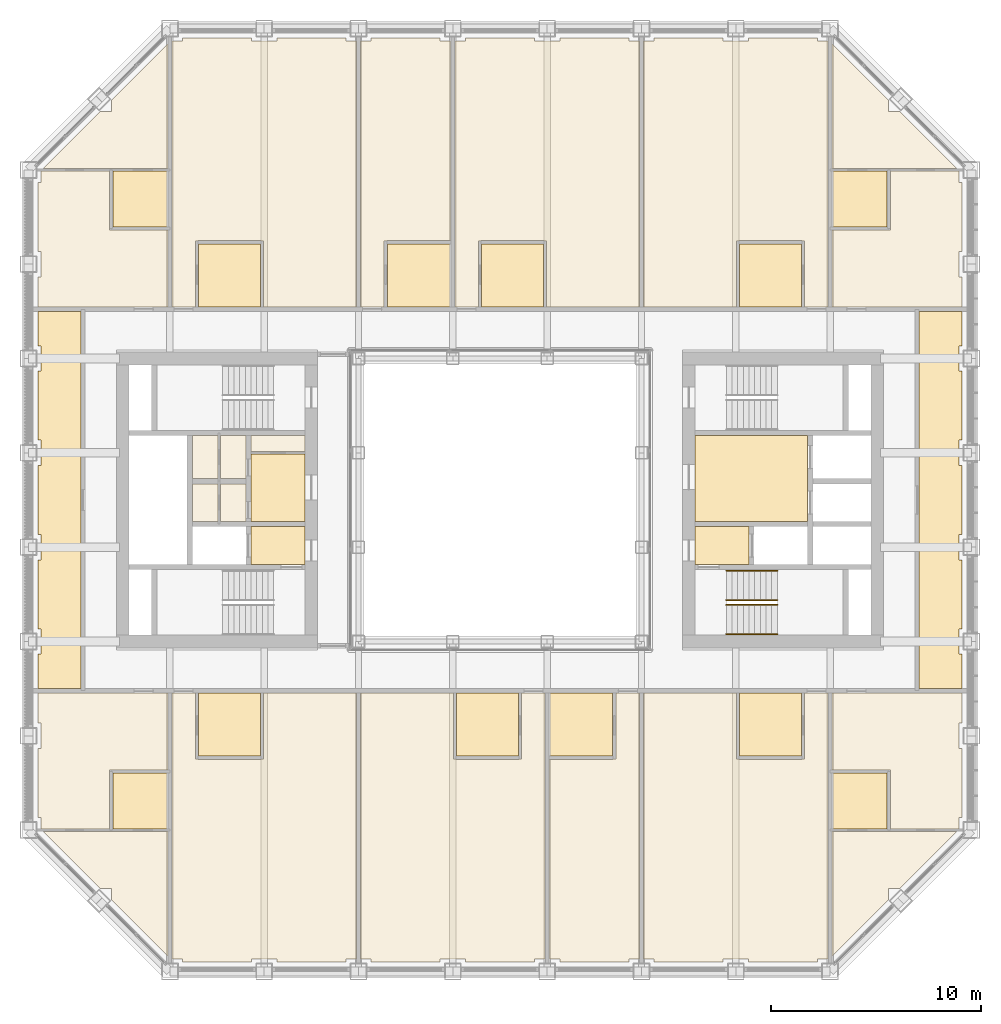
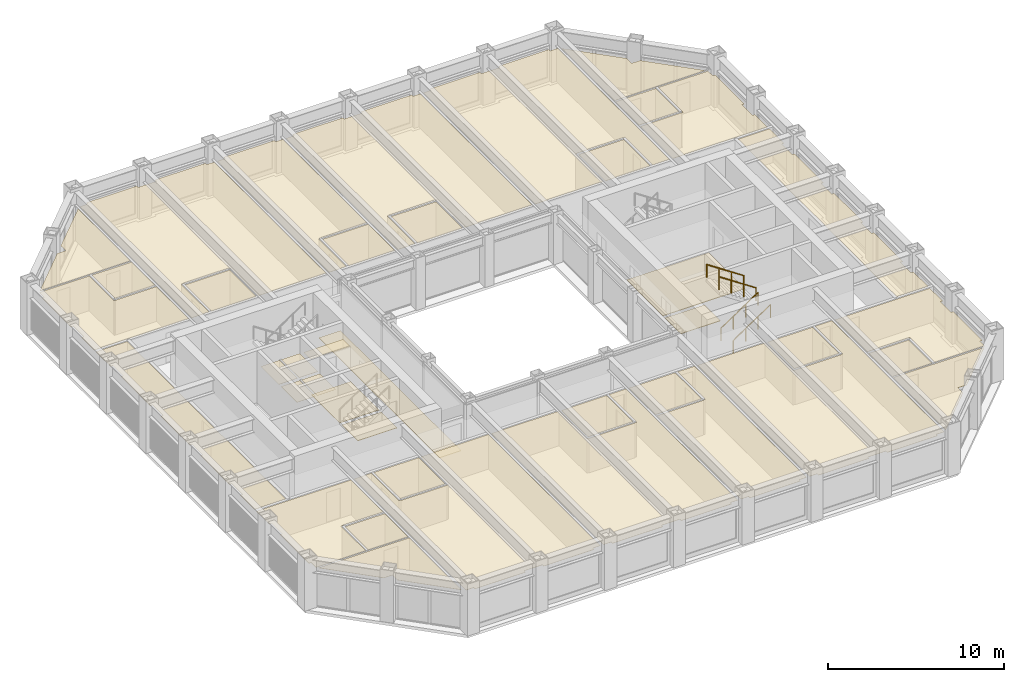
# One storey, part 16 of 17: 4 coverings, 4 railings.
"""IFC4 building model written with IfcOpenShell, lengths in metres."""

from ifc_helpers import new_model, si_unit, direction, frame, origin, origin_2d, place, context, subcontext, project, spatial, line, indexed_curve, circle, outline, extrude, material, layer, layer_set, type_object, element, save


model = new_model("IFC4")

# Units and contexts
model_context = context("Model", 3, precision=1e-05, world=origin(), true_north=direction((0.0, 1.0)))
body_context = subcontext(model_context, "Body", "Model", "MODEL_VIEW")
ifc_project = project(units=[si_unit("LENGTHUNIT", "METRE"), si_unit("AREAUNIT", "SQUARE_METRE"), si_unit("VOLUMEUNIT", "CUBIC_METRE"), si_unit("PLANEANGLEUNIT", "RADIAN"), si_unit("MASSUNIT", "GRAM", prefix="KILO")], contexts=[model_context])

# Site, building, storey
site_placement = place(None, origin())
site = spatial("IfcSite", under=ifc_project, at=site_placement, CompositionType="ELEMENT")
building_placement = place(site_placement, origin())
building = spatial("IfcBuilding", under=site, at=building_placement, Name="Msasa Ring Tower", CompositionType="ELEMENT")
storey_placement = place(building_placement, frame((0.0, 0.0, 168.800048828125)))
storey = spatial("IfcBuildingStorey", under=building, at=storey_placement, Name="L44", CompositionType="ELEMENT", Elevation=168.800048828125)

# Coverings
ifc_material_1 = material(Name="Gypsum plasterboard on a steel suspension grid", Category="steel")
ifc_layer_1 = layer(ifc_material_1, 0.014892578125)
ifc_layer_set_1 = layer_set([ifc_layer_1], Name="C1 SUSPENDED PLASTERBOARD CEILING 15")
covering_type_1 = type_object("IfcCoveringType", Name="C1 SUSPENDED PLASTERBOARD CEILING 15", PredefinedType="CEILING", material=ifc_layer_set_1)
covering_1_placement = place(storey_placement, frame((0.0, 0.0, 2.407958984375)))
element("IfcCovering", 1, at=covering_1_placement, inside=storey, type_object=covering_type_1, Name="Suspended Plasterboard Ceiling 15 L44", PredefinedType="CEILING", context=body_context, shape_type="SweptSolid", body=[
    extrude(outline(indexed_curve([(-22.049560546875, -11.8505859375), (-21.8994140625, -11.8505859375), (-21.8994140625, -10.6494140625), (-22.049560546875, -10.6494140625), (-22.049560546875, -9.200439453125), (-15.8505859375, -9.200439453125), (-15.8505859375, -12.869384765625), (-18.630615234375, -12.869384765625), (-18.630615234375, -15.694580078125), (-21.8994140625, -15.694580078125), (-21.8994140625, -15.1494140625), (-22.049560546875, -15.1494140625)], segments=[line(1, 2, 3, 4, 5, 6, 7, 8, 9, 10, 11, 12, 1)], self_intersect=False)), origin(), (0.0, 0.0, 1.0), 0.014892578125),
    extrude(outline(indexed_curve([(-15.8505859375, 9.200439453125), (-22.049560546875, 9.200439453125), (-22.049560546875, 10.6494140625), (-21.8994140625, 10.6494140625), (-21.8994140625, 11.8505859375), (-22.049560546875, 11.8505859375), (-22.049560546875, 15.1494140625), (-21.8994140625, 15.1494140625), (-21.8994140625, 15.694580078125), (-18.630615234375, 15.694580078125), (-18.630615234375, 12.869384765625), (-15.8505859375, 12.869384765625)], segments=[line(1, 2, 3, 4, 5, 6, 7, 8, 9, 10, 11, 12, 1)], self_intersect=False)), origin(), (0.0, 0.0, 1.0), 0.014892578125),
    extrude(outline(indexed_curve([(-18.5244140625, -19.08837890625), (-18.5244140625, -18.5244140625), (-19.08837890625, -18.5244140625), (-21.807373046875, -15.805419921875), (-15.8505859375, -15.805419921875), (-15.8505859375, -21.762451171875)], segments=[line(1, 2, 3, 4, 5, 6, 1)], self_intersect=False)), origin(), (0.0, 0.0, 1.0), 0.014892578125),
    extrude(outline(indexed_curve([(-19.08837890625, 18.5244140625), (-18.5244140625, 18.5244140625), (-18.5244140625, 19.08837890625), (-15.8505859375, 21.762451171875), (-15.8505859375, 15.805419921875), (-21.807373046875, 15.805419921875)], segments=[line(1, 2, 3, 4, 5, 6, 1)], self_intersect=False)), origin(), (0.0, 0.0, 1.0), 0.014892578125),
    extrude(outline(indexed_curve([(-14.525390625, -12.35009765625), (-14.39990234375, -12.3505859375), (-14.39990234375, -12.37548828125), (-11.39990234375, -12.37548828125), (-11.39990234375, -12.3505859375), (-11.2744140625, -12.35009765625), (-11.2744140625, -9.200439453125), (-6.8505859375, -9.200439453125), (-6.8505859375, -21.8994140625), (-7.3505859375, -21.8994140625), (-7.3505859375, -22.049560546875), (-10.6494140625, -22.049560546875), (-10.6494140625, -21.8994140625), (-11.8505859375, -21.8994140625), (-11.8505859375, -22.049560546875), (-15.1494140625, -22.049560546875), (-15.1494140625, -21.8994140625), (-15.6494140625, -21.8994140625), (-15.6494140625, -9.200439453125), (-14.525390625, -9.200439453125)], segments=[line(1, 2, 3, 4, 5, 6, 7, 8, 9, 10, 11, 12, 13, 14, 15, 16, 17, 18, 19, 20, 1)], self_intersect=False)), origin(), (0.0, 0.0, 1.0), 0.014892578125),
    extrude(outline(indexed_curve([(-11.39990234375, 12.3505859375), (-11.39990234375, 12.37548828125), (-14.39990234375, 12.37548828125), (-14.39990234375, 12.3505859375), (-14.525390625, 12.35009765625), (-14.525390625, 9.200439453125), (-15.6494140625, 9.200439453125), (-15.6494140625, 21.8994140625), (-15.1494140625, 21.8994140625), (-15.1494140625, 22.049560546875), (-11.8505859375, 22.049560546875), (-11.8505859375, 21.8994140625), (-10.6494140625, 21.8994140625), (-10.6494140625, 22.049560546875), (-7.3505859375, 22.049560546875), (-7.3505859375, 21.8994140625), (-6.8505859375, 21.8994140625), (-6.8505859375, 9.200439453125), (-11.2744140625, 9.200439453125), (-11.2744140625, 12.35009765625)], segments=[line(1, 2, 3, 4, 5, 6, 7, 8, 9, 10, 11, 12, 13, 14, 15, 16, 17, 18, 19, 20, 1)], self_intersect=False)), origin(), (0.0, 0.0, 1.0), 0.014892578125),
    extrude(outline(indexed_curve([(-13.45556640625, -1.0244140625), (-14.674560546875, -1.0244140625), (-14.674560546875, 0.7744140625), (-13.45556640625, 0.7744140625)], segments=[line(1, 2, 3, 4, 1)], self_intersect=False)), origin(), (0.0, 0.0, 1.0), 0.014892578125),
    extrude(outline(indexed_curve([(-14.674560546875, 3.074462890625), (-13.45556640625, 3.074462890625), (-13.45556640625, 1.025390625), (-14.674560546875, 1.025390625)], segments=[line(1, 2, 3, 4, 1)], self_intersect=False)), origin(), (0.0, 0.0, 1.0), 0.014892578125),
    extrude(outline(indexed_curve([(-12.12548828125, -1.0244140625), (-13.344482421875, -1.0244140625), (-13.344482421875, 0.7744140625), (-12.12548828125, 0.7744140625)], segments=[line(1, 2, 3, 4, 1)], self_intersect=False)), origin(), (0.0, 0.0, 1.0), 0.014892578125),
    extrude(outline(indexed_curve([(-13.344482421875, 3.074462890625), (-12.12548828125, 3.074462890625), (-12.12548828125, 1.025390625), (-13.344482421875, 1.025390625)], segments=[line(1, 2, 3, 4, 1)], self_intersect=False)), origin(), (0.0, 0.0, 1.0), 0.014892578125),
    extrude(outline(indexed_curve([(-11.87451171875, 3.074462890625), (-9.300537109375, 3.074462890625), (-9.300537109375, 2.305419921875), (-11.87451171875, 2.305419921875)], segments=[line(1, 2, 3, 4, 1)], self_intersect=False)), origin(), (0.0, 0.0, 1.0), 0.014892578125),
    extrude(outline(indexed_curve([(-2.10009765625, -12.3505859375), (-2.10009765625, -12.37548828125), (0.89990234375, -12.37548828125), (0.89990234375, -12.3505859375), (1.025390625, -12.35009765625), (1.025390625, -9.200439453125), (2.1494140625, -9.200439453125), (2.1494140625, -21.8994140625), (1.6494140625, -21.8994140625), (1.6494140625, -22.049560546875), (-1.6494140625, -22.049560546875), (-1.6494140625, -21.8994140625), (-2.8505859375, -21.8994140625), (-2.8505859375, -22.049560546875), (-6.1494140625, -22.049560546875), (-6.1494140625, -21.8994140625), (-6.6494140625, -21.8994140625), (-6.6494140625, -9.200439453125), (-2.2255859375, -9.200439453125), (-2.2255859375, -12.35009765625)], segments=[line(1, 2, 3, 4, 5, 6, 7, 8, 9, 10, 11, 12, 13, 14, 15, 16, 17, 18, 19, 20, 1)], self_intersect=False)), origin(), (0.0, 0.0, 1.0), 0.014892578125),
    extrude(outline(indexed_curve([(-6.6494140625, 21.8994140625), (-6.1494140625, 21.8994140625), (-6.1494140625, 22.049560546875), (-2.8505859375, 22.049560546875), (-2.8505859375, 21.8994140625), (-2.3505859375, 21.8994140625), (-2.3505859375, 12.37548828125), (-5.39990234375, 12.37548828125), (-5.39990234375, 12.3505859375), (-5.525390625, 12.35009765625), (-5.525390625, 9.200439453125), (-6.6494140625, 9.200439453125)], segments=[line(1, 2, 3, 4, 5, 6, 7, 8, 9, 10, 11, 12, 1)], self_intersect=False)), origin(), (0.0, 0.0, 1.0), 0.014892578125),
    extrude(outline(indexed_curve([(2.10009765625, 12.3505859375), (2.10009765625, 12.37548828125), (-0.89990234375, 12.37548828125), (-0.89990234375, 12.3505859375), (-1.025390625, 12.35009765625), (-1.025390625, 9.200439453125), (-2.1494140625, 9.200439453125), (-2.1494140625, 21.8994140625), (-1.6494140625, 21.8994140625), (-1.6494140625, 22.049560546875), (1.6494140625, 22.049560546875), (1.6494140625, 21.8994140625), (2.8505859375, 21.8994140625), (2.8505859375, 22.049560546875), (6.1494140625, 22.049560546875), (6.1494140625, 21.8994140625), (6.6494140625, 21.8994140625), (6.6494140625, 9.200439453125), (2.2255859375, 9.200439453125), (2.2255859375, 12.35009765625)], segments=[line(1, 2, 3, 4, 5, 6, 7, 8, 9, 10, 11, 12, 13, 14, 15, 16, 17, 18, 19, 20, 1)], self_intersect=False)), origin(), (0.0, 0.0, 1.0), 0.014892578125),
    extrude(outline(indexed_curve([(6.6494140625, -21.8994140625), (6.1494140625, -21.8994140625), (6.1494140625, -22.049560546875), (2.8505859375, -22.049560546875), (2.8505859375, -21.8994140625), (2.3505859375, -21.8994140625), (2.3505859375, -12.37548828125), (5.39990234375, -12.37548828125), (5.39990234375, -12.3505859375), (5.525390625, -12.35009765625), (5.525390625, -9.200439453125), (6.6494140625, -9.200439453125)], segments=[line(1, 2, 3, 4, 5, 6, 7, 8, 9, 10, 11, 12, 1)], self_intersect=False)), origin(), (0.0, 0.0, 1.0), 0.014892578125),
    extrude(outline(indexed_curve([(11.39990234375, -12.3505859375), (11.39990234375, -12.37548828125), (14.39990234375, -12.37548828125), (14.39990234375, -12.3505859375), (14.525390625, -12.35009765625), (14.525390625, -9.200439453125), (15.6494140625, -9.200439453125), (15.6494140625, -21.8994140625), (15.1494140625, -21.8994140625), (15.1494140625, -22.049560546875), (11.8505859375, -22.049560546875), (11.8505859375, -21.8994140625), (10.6494140625, -21.8994140625), (10.6494140625, -22.049560546875), (7.3505859375, -22.049560546875), (7.3505859375, -21.8994140625), (6.8505859375, -21.8994140625), (6.8505859375, -9.200439453125), (11.2744140625, -9.200439453125), (11.2744140625, -12.35009765625)], segments=[line(1, 2, 3, 4, 5, 6, 7, 8, 9, 10, 11, 12, 13, 14, 15, 16, 17, 18, 19, 20, 1)], self_intersect=False)), origin(), (0.0, 0.0, 1.0), 0.014892578125),
    extrude(outline(indexed_curve([(14.39990234375, 12.3505859375), (14.39990234375, 12.37548828125), (11.39990234375, 12.37548828125), (11.39990234375, 12.3505859375), (11.2744140625, 12.35009765625), (11.2744140625, 9.200439453125), (6.8505859375, 9.200439453125), (6.8505859375, 21.8994140625), (7.3505859375, 21.8994140625), (7.3505859375, 22.049560546875), (10.6494140625, 22.049560546875), (10.6494140625, 21.8994140625), (11.8505859375, 21.8994140625), (11.8505859375, 22.049560546875), (15.1494140625, 22.049560546875), (15.1494140625, 21.8994140625), (15.6494140625, 21.8994140625), (15.6494140625, 9.200439453125), (14.525390625, 9.200439453125), (14.525390625, 12.35009765625)], segments=[line(1, 2, 3, 4, 5, 6, 7, 8, 9, 10, 11, 12, 13, 14, 15, 16, 17, 18, 19, 20, 1)], self_intersect=False)), origin(), (0.0, 0.0, 1.0), 0.014892578125),
    extrude(outline(indexed_curve([(19.08837890625, -18.5244140625), (18.5244140625, -18.5244140625), (18.5244140625, -19.08837890625), (15.8505859375, -21.762451171875), (15.8505859375, -15.805419921875), (21.807373046875, -15.805419921875)], segments=[line(1, 2, 3, 4, 5, 6, 1)], self_intersect=False)), origin(), (0.0, 0.0, 1.0), 0.014892578125),
    extrude(outline(indexed_curve([(15.8505859375, -12.869384765625), (15.8505859375, -9.200439453125), (22.049560546875, -9.200439453125), (22.049560546875, -10.6494140625), (21.8994140625, -10.6494140625), (21.8994140625, -11.8505859375), (22.049560546875, -11.8505859375), (22.049560546875, -15.1494140625), (21.8994140625, -15.1494140625), (21.8994140625, -15.694580078125), (18.630615234375, -15.694580078125), (18.630615234375, -12.869384765625)], segments=[line(1, 2, 3, 4, 5, 6, 7, 8, 9, 10, 11, 12, 1)], self_intersect=False)), origin(), (0.0, 0.0, 1.0), 0.014892578125),
    extrude(outline(indexed_curve([(22.049560546875, 11.8505859375), (21.8994140625, 11.8505859375), (21.8994140625, 10.6494140625), (22.049560546875, 10.6494140625), (22.049560546875, 9.200439453125), (15.8505859375, 9.200439453125), (15.8505859375, 12.869384765625), (18.630615234375, 12.869384765625), (18.630615234375, 15.694580078125), (21.8994140625, 15.694580078125), (21.8994140625, 15.1494140625), (22.049560546875, 15.1494140625)], segments=[line(1, 2, 3, 4, 5, 6, 7, 8, 9, 10, 11, 12, 1)], self_intersect=False)), origin(), (0.0, 0.0, 1.0), 0.014892578125),
    extrude(outline(indexed_curve([(15.8505859375, 15.805419921875), (15.8505859375, 21.762451171875), (18.5244140625, 19.08837890625), (18.5244140625, 18.5244140625), (19.08837890625, 18.5244140625), (21.807373046875, 15.805419921875)], segments=[line(1, 2, 3, 4, 5, 6, 1)], self_intersect=False)), origin(), (0.0, 0.0, 1.0), 0.014892578125),
])
ifc_material_2 = material(Name="Moisture-resistant gypsum plasterboard on a steel suspension grid", Category="steel")
ifc_layer_2 = layer(ifc_material_2, 0.014892578125)
ifc_layer_set_2 = layer_set([ifc_layer_2], Name="C2 MOISTURE-RESISTANT PLASTERBOARD CEILING 15")
covering_type_2 = type_object("IfcCoveringType", Name="C2 MOISTURE-RESISTANT PLASTERBOARD CEILING 15", PredefinedType="CEILING", material=ifc_layer_set_2)
covering_2_placement = place(storey_placement, frame((0.0, 0.0, 2.39990234375)))
element("IfcCovering", 2, at=covering_2_placement, inside=storey, type_object=covering_type_2, Name="Moisture-Resistant Plasterboard Ceiling 15 L44", PredefinedType="CEILING", context=body_context, shape_type="SweptSolid", body=[
    extrude(outline(indexed_curve([(-18.469482421875, -15.694580078125), (-18.469482421875, -13.030517578125), (-15.8505859375, -13.030517578125), (-15.8505859375, -15.694580078125)], segments=[line(1, 2, 3, 4, 1)], self_intersect=False)), origin(), (0.0, 0.0, 1.0), 0.01513671875),
    extrude(outline(indexed_curve([(-18.469482421875, 15.694580078125), (-15.8505859375, 15.694580078125), (-15.8505859375, 13.030517578125), (-18.469482421875, 13.030517578125)], segments=[line(1, 2, 3, 4, 1)], self_intersect=False)), origin(), (0.0, 0.0, 1.0), 0.01513671875),
    extrude(outline(indexed_curve([(-11.425537109375, -9.200439453125), (-11.425537109375, -12.224609375), (-14.37451171875, -12.224609375), (-14.37451171875, -9.200439453125)], segments=[line(1, 2, 3, 4, 1)], self_intersect=False)), origin(), (0.0, 0.0, 1.0), 0.01513671875),
    extrude(outline(indexed_curve([(-14.37451171875, 9.200439453125), (-14.37451171875, 12.224609375), (-11.425537109375, 12.224609375), (-11.425537109375, 9.200439453125)], segments=[line(1, 2, 3, 4, 1)], self_intersect=False)), origin(), (0.0, 0.0, 1.0), 0.01513671875),
    extrude(outline(indexed_curve([(-2.3505859375, 9.200439453125), (-5.37451171875, 9.200439453125), (-5.37451171875, 12.224609375), (-2.3505859375, 12.224609375)], segments=[line(1, 2, 3, 4, 1)], self_intersect=False)), origin(), (0.0, 0.0, 1.0), 0.01513671875),
    extrude(outline(indexed_curve([(0.87451171875, -9.200439453125), (0.87451171875, -12.224609375), (-2.074462890625, -12.224609375), (-2.074462890625, -9.200439453125)], segments=[line(1, 2, 3, 4, 1)], self_intersect=False)), origin(), (0.0, 0.0, 1.0), 0.01513671875),
    extrude(outline(indexed_curve([(-0.87451171875, 9.200439453125), (-0.87451171875, 12.224609375), (2.074462890625, 12.224609375), (2.074462890625, 9.200439453125)], segments=[line(1, 2, 3, 4, 1)], self_intersect=False)), origin(), (0.0, 0.0, 1.0), 0.01513671875),
    extrude(outline(indexed_curve([(2.3505859375, -9.200439453125), (5.37451171875, -9.200439453125), (5.37451171875, -12.224609375), (2.3505859375, -12.224609375)], segments=[line(1, 2, 3, 4, 1)], self_intersect=False)), origin(), (0.0, 0.0, 1.0), 0.01513671875),
    extrude(outline(indexed_curve([(14.37451171875, -9.200439453125), (14.37451171875, -12.224609375), (11.425537109375, -12.224609375), (11.425537109375, -9.200439453125)], segments=[line(1, 2, 3, 4, 1)], self_intersect=False)), origin(), (0.0, 0.0, 1.0), 0.01513671875),
    extrude(outline(indexed_curve([(11.425537109375, 9.200439453125), (11.425537109375, 12.224609375), (14.37451171875, 12.224609375), (14.37451171875, 9.200439453125)], segments=[line(1, 2, 3, 4, 1)], self_intersect=False)), origin(), (0.0, 0.0, 1.0), 0.01513671875),
    extrude(outline(indexed_curve([(15.8505859375, -15.694580078125), (15.8505859375, -13.030517578125), (18.469482421875, -13.030517578125), (18.469482421875, -15.694580078125)], segments=[line(1, 2, 3, 4, 1)], self_intersect=False)), origin(), (0.0, 0.0, 1.0), 0.01513671875),
    extrude(outline(indexed_curve([(15.8505859375, 15.694580078125), (18.469482421875, 15.694580078125), (18.469482421875, 13.030517578125), (15.8505859375, 13.030517578125)], segments=[line(1, 2, 3, 4, 1)], self_intersect=False)), origin(), (0.0, 0.0, 1.0), 0.01513671875),
])
ifc_material_3 = material(Name="Mineral fibre ceiling tiles on an exposed steel grid", Category="steel")
ifc_layer_3 = layer(ifc_material_3, 0.02001953125)
ifc_layer_set_3 = layer_set([ifc_layer_3], Name="C3 ACOUSTIC MINERAL FIBRE TILE CEILING 20")
covering_type_3 = type_object("IfcCoveringType", Name="C3 ACOUSTIC MINERAL FIBRE TILE CEILING 20", PredefinedType="CEILING", material=ifc_layer_set_3)
covering_3_placement = place(storey_placement, frame((0.0, 0.0, 2.408935546875)))
element("IfcCovering", 3, at=covering_3_placement, inside=storey, type_object=covering_type_3, Name="Acoustic Mineral Fibre Tile Ceiling 20 L44", PredefinedType="CEILING", context=body_context, shape_type="SweptSolid", body=[
    extrude(outline(indexed_curve([(-22.049560546875, -8.99951171875), (-22.049560546875, -7.3505859375), (-21.8994140625, -7.3505859375), (-21.8994140625, -6.1494140625), (-22.049560546875, -6.1494140625), (-22.049560546875, -2.8505859375), (-21.8994140625, -2.8505859375), (-21.8994140625, -1.6494140625), (-22.049560546875, -1.6494140625), (-22.049560546875, 1.6494140625), (-21.8994140625, 1.6494140625), (-21.8994140625, 2.8505859375), (-22.049560546875, 2.8505859375), (-22.049560546875, 6.1494140625), (-21.8994140625, 6.1494140625), (-21.8994140625, 7.3505859375), (-22.049560546875, 7.3505859375), (-22.049560546875, 8.99951171875), (-20.00048828125, 8.99951171875), (-20.00048828125, -8.99951171875)], segments=[line(1, 2, 3, 4, 5, 6, 7, 8, 9, 10, 11, 12, 13, 14, 15, 16, 17, 18, 19, 20, 1)], self_intersect=False)), origin(), (0.0, 0.0, 1.0), 0.02001953125),
    extrude(outline(indexed_curve([(20.00048828125, 8.99951171875), (22.049560546875, 8.99951171875), (22.049560546875, 7.3505859375), (21.8994140625, 7.3505859375), (21.8994140625, 6.1494140625), (22.049560546875, 6.1494140625), (22.049560546875, 2.8505859375), (21.8994140625, 2.8505859375), (21.8994140625, 1.6494140625), (22.049560546875, 1.6494140625), (22.049560546875, -1.6494140625), (21.8994140625, -1.6494140625), (21.8994140625, -2.8505859375), (22.049560546875, -2.8505859375), (22.049560546875, -6.1494140625), (21.8994140625, -6.1494140625), (21.8994140625, -7.3505859375), (22.049560546875, -7.3505859375), (22.049560546875, -8.99951171875), (20.00048828125, -8.99951171875)], segments=[line(1, 2, 3, 4, 5, 6, 7, 8, 9, 10, 11, 12, 13, 14, 15, 16, 17, 18, 19, 20, 1)], self_intersect=False)), origin(), (0.0, 0.0, 1.0), 0.02001953125),
])
ifc_material_4 = material(Name="Honed granite tiles on a mortar bed", Category="masonry")
ifc_layer_4 = layer(ifc_material_4, 0.030029296875)
ifc_layer_set_4 = layer_set([ifc_layer_4], Name="F1 HONED GRANITE ON BEDDING 30")
covering_type_4 = type_object("IfcCoveringType", Name="F1 HONED GRANITE ON BEDDING 30", PredefinedType="FLOORING", material=ifc_layer_set_4)
covering_4_placement = place(storey_placement, origin())
element("IfcCovering", 4, at=covering_4_placement, inside=storey, type_object=covering_type_4, Name="Honed Granite On Bedding 30 L44", PredefinedType="FLOORING", context=body_context, shape_type="SweptSolid", body=[
    extrude(outline(indexed_curve([(-11.87451171875, -3.074462890625), (-11.87451171875, -1.275390625), (-9.300537109375, -1.275390625), (-9.300537109375, -3.074462890625)], segments=[line(1, 2, 3, 4, 1)], self_intersect=False)), origin(), (0.0, 0.0, 1.0), 0.030029296875),
    extrude(outline(indexed_curve([(-11.87451171875, 2.194580078125), (-9.300537109375, 2.194580078125), (-9.300537109375, -1.0244140625), (-11.87451171875, -1.0244140625)], segments=[line(1, 2, 3, 4, 1)], self_intersect=False)), origin(), (0.0, 0.0, 1.0), 0.030029296875),
    extrude(outline(indexed_curve([(-8.699462890625, -6.849609375), (-8.699462890625, 6.849609375), (-7.280029296875, 6.849609375), (-7.280029296875, -6.849609375)], segments=[line(1, 2, 3, 4, 1)], self_intersect=False)), origin(), (0.0, 0.0, 1.0), 0.030029296875),
    extrude(outline(indexed_curve([(9.300537109375, -3.074462890625), (9.300537109375, -1.275390625), (11.87451171875, -1.275390625), (11.87451171875, -3.074462890625)], segments=[line(1, 2, 3, 4, 1)], self_intersect=False)), origin(), (0.0, 0.0, 1.0), 0.030029296875),
    extrude(outline(indexed_curve([(9.300537109375, 3.074462890625), (14.674560546875, 3.074462890625), (14.674560546875, -1.0244140625), (9.300537109375, -1.0244140625)], segments=[line(1, 2, 3, 4, 1)], self_intersect=False)), origin(), (0.0, 0.0, 1.0), 0.030029296875),
])

# Railings
ifc_material_5 = material(Name="Stainless steel", Category="steel")
railing_type = type_object("IfcRailingType", Name="HR1 HANDRAIL 900", PredefinedType="HANDRAIL", material=ifc_material_5)
for number, where, name in (
    (5, (10.800048828125, -6.39990234375, 0.179931640625), "Handrail stair SEA L44 1"),
    (6, (10.800048828125, -5.0, 0.179931640625), "Handrail stair SEA L44 2"),
):
    element("IfcRailing", number, at=place(storey_placement, frame(where)), inside=storey, type_object=railing_type, Name=name, PredefinedType="HANDRAIL", context=body_context, shape_type="SweptSolid", body=[
        extrude(circle(Radius=0.02392578125, at=origin_2d()), frame((0.0, 0.0, 0.8759765625), z_axis=(0.832024571796, 0.0, 0.554738778101), x_axis=(0.0, 1.0, 0.0)), (0.0, 0.0, 1.0), 2.92041015625),
        extrude(circle(Radius=0.02099609375, at=origin_2d()), origin(), (0.0, 0.0, 1.0), 0.851806640625),
        extrude(circle(Radius=0.02099609375, at=origin_2d()), frame((0.81005859375, 0.0, 0.5400390625)), (0.0, 0.0, 1.0), 0.851806640625),
        extrude(circle(Radius=0.02099609375, at=origin_2d()), frame((1.619873046875, 0.0, 1.080078125)), (0.0, 0.0, 1.0), 0.851806640625),
        extrude(circle(Radius=0.02099609375, at=origin_2d()), frame((2.429931640625, 0.0, 1.6201171875)), (0.0, 0.0, 1.0), 0.851806640625),
    ])
for number, where, name in (
    (7, (13.22998046875, -4.77490234375, 1.97998046875), "Handrail stair SEA L44 3"),
    (8, (13.22998046875, -3.375, 1.97998046875), "Handrail stair SEA L44 4"),
):
    element("IfcRailing", number, at=place(storey_placement, frame(where)), inside=storey, type_object=railing_type, Name=name, PredefinedType="HANDRAIL", context=body_context, shape_type="SweptSolid", body=[
        extrude(circle(Radius=0.02392578125, at=origin_2d()), frame((0.0, 0.0, 0.8759765625), z_axis=(-0.832063155534, 0.0, 0.554680903946), x_axis=(0.0, -1.0, 0.0)), (0.0, 0.0, 1.0), 2.92041015625),
        extrude(circle(Radius=0.02099609375, at=origin_2d()), origin(), (0.0, 0.0, 1.0), 0.851806640625),
        extrude(circle(Radius=0.02099609375, at=origin_2d()), frame((-0.81005859375, 0.0, 0.5400390625)), (0.0, 0.0, 1.0), 0.851806640625),
        extrude(circle(Radius=0.02099609375, at=origin_2d()), frame((-1.619873046875, 0.0, 1.079833984375)), (0.0, 0.0, 1.0), 0.851806640625),
        extrude(circle(Radius=0.02099609375, at=origin_2d()), frame((-2.429931640625, 0.0, 1.619873046875)), (0.0, 0.0, 1.0), 0.851806640625),
    ])

save(model, "model.ifc")
